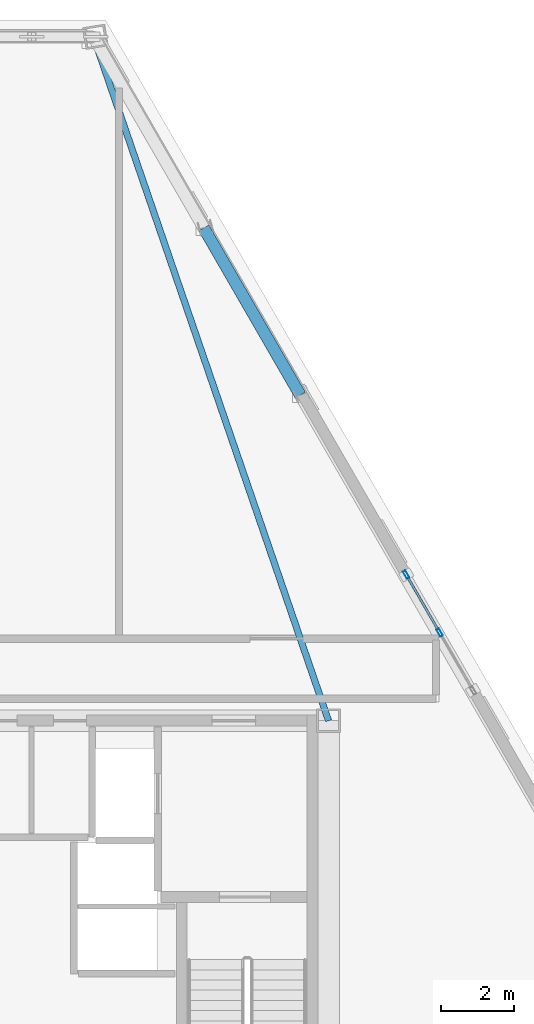
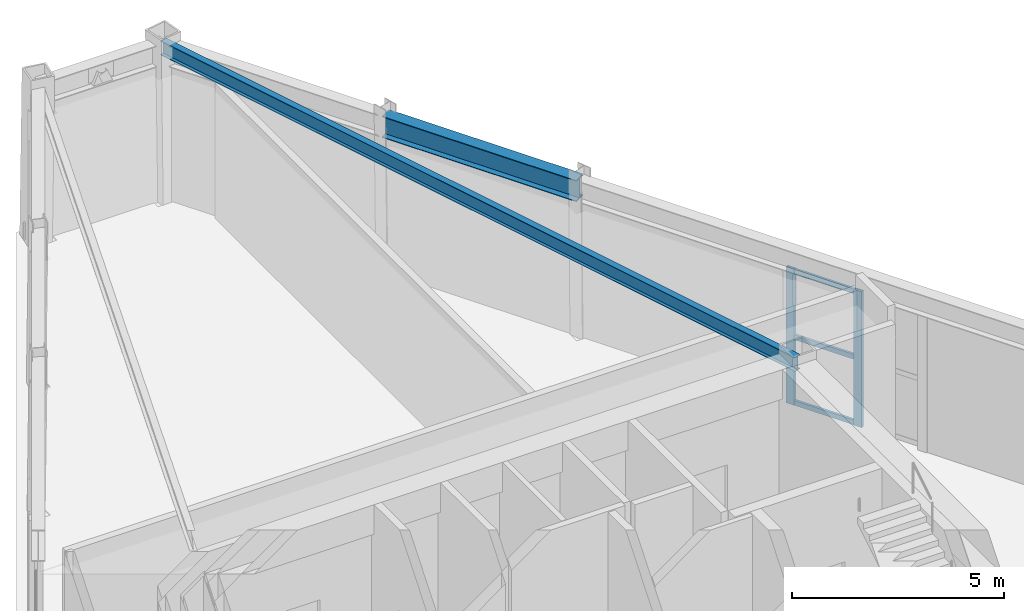
# One storey, part 6 of 12: 5 members, 2 beams, 1 element without a shape of its own.
"""IFC4 building model written with IfcOpenShell, lengths in metres."""

from ifc_helpers import new_model, si_unit, direction, frame, origin, origin_2d, place, context, subcontext, project, spatial, hollow_rectangle, i_section, extrude, material, layer, layer_set, material_profile, profile_set, type_object, element, aggregate, save


model = new_model("IFC4")

# Units and contexts
model_context = context("Model", 3, precision=1e-05, world=origin(), true_north=direction((0.0, 1.0)))
body_context = subcontext(model_context, "Body", "Model", "MODEL_VIEW")
ifc_project = project(units=[si_unit("LENGTHUNIT", "METRE"), si_unit("AREAUNIT", "SQUARE_METRE"), si_unit("VOLUMEUNIT", "CUBIC_METRE"), si_unit("PLANEANGLEUNIT", "RADIAN"), si_unit("MASSUNIT", "GRAM", prefix="KILO")], contexts=[model_context])

# Site, building, storey
site_placement = place(None, origin())
site = spatial("IfcSite", under=ifc_project, at=site_placement, CompositionType="ELEMENT")
building_placement = place(site_placement, origin())
building = spatial("IfcBuilding", under=site, at=building_placement, Name="Oramaril Tower", CompositionType="ELEMENT")
storey_placement = place(building_placement, frame((0.0, 0.0, 314.10009765625)))
storey = spatial("IfcBuildingStorey", under=building, at=storey_placement, Name="L82", CompositionType="ELEMENT", Elevation=314.10009765625)

# Beams
ifc_material_1 = material(Name="Steel ASTM A572 Gr 50", Category="steel")
ifc_material_profile_1 = material_profile(ifc_material_1, i_section(OverallWidth=0.177978515625, OverallDepth=0.404052734375, WebThickness=0.007568359375, FlangeThickness=0.010986328125, at=origin_2d()), Name="W16X36")
ifc_profile_set_1 = profile_set([ifc_material_profile_1], Name="Steel ASTM A572 Gr 50")
beam_type_1 = type_object("IfcBeamType", Name="BT-SB1", PredefinedType="BEAM", material=ifc_profile_set_1)
beam_1_placement = place(storey_placement, frame((45.64990234375, 24.14990234375, 4.337890625), z_axis=(-0.325044703375, 0.945698652218, 0.0), x_axis=(-0.945698652218, -0.325044703375, 0.0)))
element("IfcBeam", 1, at=beam_1_placement, inside=storey, type_object=beam_type_1, Name="L82 Radial Primary Beam RB-05", PredefinedType="BEAM", context=body_context, shape_type="SweptSolid", body=[
    extrude(i_section(OverallWidth=0.177978515625, OverallDepth=0.404052734375, WebThickness=0.007568359375, FlangeThickness=0.010986328125, at=origin_2d()), origin(), (0.0, 0.0, 1.0), 19.847900390625),
])
ifc_material_2 = material(Name="Steel ASTM A572 Gr 50", Category="steel")
ifc_material_profile_2 = material_profile(ifc_material_2, i_section(OverallWidth=0.324951171875, OverallDepth=0.612060546875, WebThickness=0.0126953125, FlangeThickness=0.01904296875, at=origin_2d()), Name="W24X104")
ifc_profile_set_2 = profile_set([ifc_material_profile_2], Name="Steel ASTM A572 Gr 50")
beam_type_2 = type_object("IfcBeamType", Name="BT-SP5", PredefinedType="SPANDREL", material=ifc_profile_set_2)
beam_2_placement = place(storey_placement, frame((44.87255859375, 33.09228515625, 4.23388671875), z_axis=(-0.499996467947, 0.866027443007, 0.0), x_axis=(-0.866027443007, -0.499996467947, 0.0)))
element("IfcBeam", 2, at=beam_2_placement, inside=storey, type_object=beam_type_2, Name="L82 Perimeter Spandrel 11", PredefinedType="SPANDREL", context=body_context, shape_type="SweptSolid", body=[
    extrude(i_section(OverallWidth=0.324951171875, OverallDepth=0.612060546875, WebThickness=0.0126953125, FlangeThickness=0.01904296875, at=origin_2d()), origin(), (0.0, 0.0, 1.0), 5.2958984375),
])

# Curtain wall, members
ifc_material_3 = material(Name="Anodised Aluminium 6063-T6", Category="aluminium")
ifc_layer = layer(ifc_material_3, 0.219970703125)
ifc_layer_set = layer_set([ifc_layer], Name="CWT-SYS6")
curtain_wall_type = type_object("IfcCurtainWallType", Name="CWT-SYS6", PredefinedType="NOTDEFINED", material=ifc_layer_set)
curtain_wall_placement = place(storey_placement, origin())
curtain_wall = element("IfcCurtainWall", 3, at=curtain_wall_placement, inside=storey, type_object=curtain_wall_type, Name="L82 Unitised Curtain Wall CW-6", PredefinedType="NOTDEFINED")
ifc_material_4 = material(Name="Anodised Aluminium 6063-T6", Category="aluminium")
ifc_material_profile_3 = material_profile(ifc_material_4, hollow_rectangle(XDim=0.080078125, YDim=0.219970703125, WallThickness=0.00390625, at=origin_2d()), Name="CWM220X80")
ifc_profile_set_3 = profile_set([ifc_material_profile_3], Name="Anodised Aluminium 6063-T6")
member_type_1 = type_object("IfcMemberType", Name="MT-CWM1", PredefinedType="MULLION", material=ifc_profile_set_3)
member_1_placement = place(storey_placement, frame((48.70263671875, 26.56787109375, 0.0), z_axis=(0.0, 0.0, 1.0), x_axis=(-0.866025463091, -0.499999897278, 0.0)))
member_1 = element("IfcMember", 4, at=member_1_placement, type_object=member_type_1, Name="CW-6 mullion 2", PredefinedType="MULLION", context=body_context, shape_type="SweptSolid", body=[
    extrude(hollow_rectangle(XDim=0.080078125, YDim=0.219970703125, WallThickness=0.00390625, at=origin_2d()), origin(), (0.0, 0.0, 1.0), 3.91796875),
])
member_2_placement = place(storey_placement, frame((47.78271484375, 28.161376953125, 0.0), z_axis=(0.0, 0.0, 1.0), x_axis=(-0.866025463091, -0.499999897278, 0.0)))
member_2 = element("IfcMember", 5, at=member_2_placement, type_object=member_type_1, Name="CW-6 mullion 3", PredefinedType="MULLION", context=body_context, shape_type="SweptSolid", body=[
    extrude(hollow_rectangle(XDim=0.080078125, YDim=0.219970703125, WallThickness=0.00390625, at=origin_2d()), origin(), (0.0, 0.0, 1.0), 3.91796875),
])
ifc_material_5 = material(Name="Anodised Aluminium 6063-T6", Category="aluminium")
ifc_material_profile_4 = material_profile(ifc_material_5, hollow_rectangle(XDim=0.06494140625, YDim=0.139892578125, WallThickness=0.00390625, at=origin_2d()), Name="CWT140X65")
ifc_profile_set_4 = profile_set([ifc_material_profile_4], Name="Anodised Aluminium 6063-T6")
member_type_2 = type_object("IfcMemberType", Name="MT-CWT2", PredefinedType="USERDEFINED", material=ifc_profile_set_4)
member_3_placement = place(storey_placement, frame((48.647705078125, 26.6630859375, 0.06982421875), z_axis=(-0.499996383721, 0.866027491634, 0.0), x_axis=(-0.866027491634, -0.499996383721, 0.0)))
member_3 = element("IfcMember", 6, at=member_3_placement, type_object=member_type_2, Name="CW-6 transom 2.1", ObjectType="TRANSOM", PredefinedType="USERDEFINED", context=body_context, shape_type="SweptSolid", body=[
    extrude(hollow_rectangle(XDim=0.06494140625, YDim=0.139892578125, WallThickness=0.00390625, at=origin_2d()), origin(), (0.0, 0.0, 1.0), 1.6201171875),
])
member_4_placement = place(storey_placement, frame((48.647705078125, 26.6630859375, 1.958984375), z_axis=(-0.499996383721, 0.866027491634, 0.0), x_axis=(-0.866027491634, -0.499996383721, 0.0)))
member_4 = element("IfcMember", 7, at=member_4_placement, type_object=member_type_2, Name="CW-6 transom 2.2", ObjectType="TRANSOM", PredefinedType="USERDEFINED", context=body_context, shape_type="SweptSolid", body=[
    extrude(hollow_rectangle(XDim=0.06494140625, YDim=0.139892578125, WallThickness=0.00390625, at=origin_2d()), origin(), (0.0, 0.0, 1.0), 1.6201171875),
])
member_5_placement = place(storey_placement, frame((48.647705078125, 26.6630859375, 3.847900390625), z_axis=(-0.499996383721, 0.866027491634, 0.0), x_axis=(-0.866027491634, -0.499996383721, 0.0)))
member_5 = element("IfcMember", 8, at=member_5_placement, type_object=member_type_2, Name="CW-6 transom 2.3", ObjectType="TRANSOM", PredefinedType="USERDEFINED", context=body_context, shape_type="SweptSolid", body=[
    extrude(hollow_rectangle(XDim=0.06494140625, YDim=0.139892578125, WallThickness=0.00390625, at=origin_2d()), origin(), (0.0, 0.0, 1.0), 1.6201171875),
])
aggregate(curtain_wall, [member_1, member_2, member_3, member_4, member_5])

save(model, "model.ifc")
